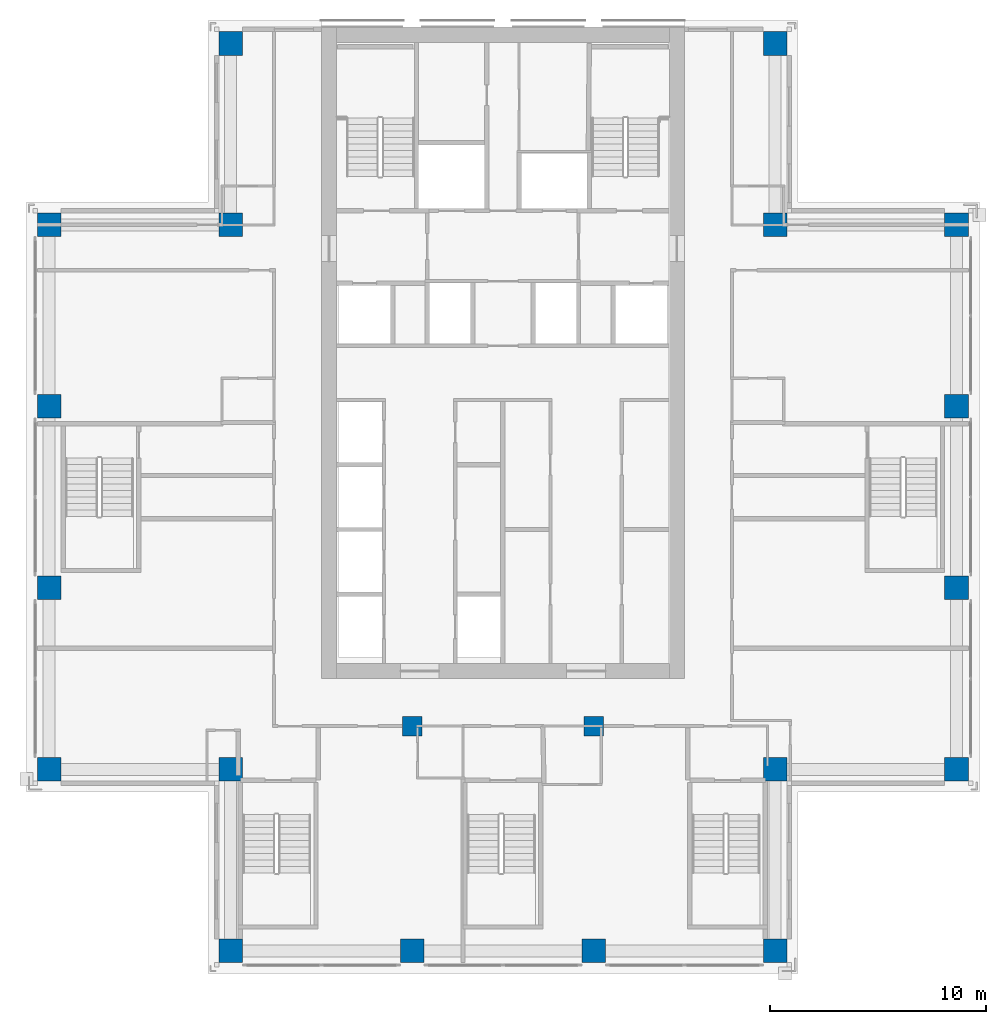
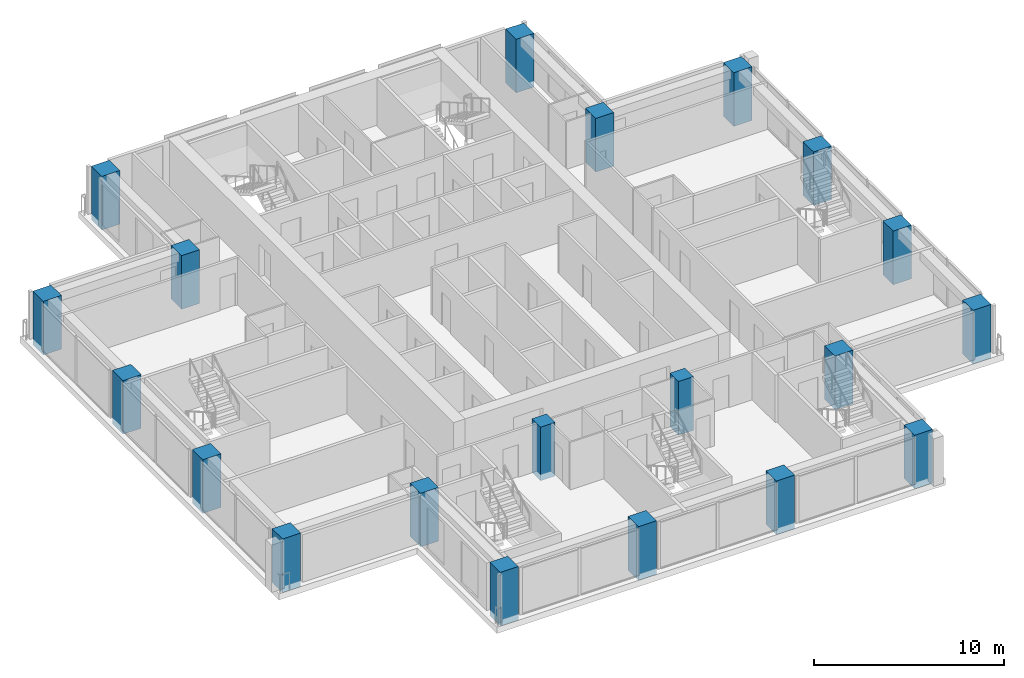
# One storey, part 1 of 16: 20 columns.
"""IFC4 building model written with IfcOpenShell, lengths in metres."""

from ifc_helpers import new_model, si_unit, direction, frame, origin, origin_2d, place, context, subcontext, project, spatial, rectangle, extrude, material, material_profile, profile_set, type_object, element, save


model = new_model("IFC4")

# Units and contexts
model_context = context("Model", 3, precision=1e-05, world=origin(), true_north=direction((0.0, 1.0)))
body_context = subcontext(model_context, "Body", "Model", "MODEL_VIEW")
ifc_project = project(units=[si_unit("LENGTHUNIT", "METRE"), si_unit("AREAUNIT", "SQUARE_METRE"), si_unit("VOLUMEUNIT", "CUBIC_METRE"), si_unit("PLANEANGLEUNIT", "RADIAN"), si_unit("MASSUNIT", "GRAM", prefix="KILO")], contexts=[model_context])

# Site, building, storey
site_placement = place(None, origin())
site = spatial("IfcSite", under=ifc_project, at=site_placement, CompositionType="ELEMENT")
building_placement = place(site_placement, origin())
building = spatial("IfcBuilding", under=site, at=building_placement, Name="Vermilion Ogive Tower", CompositionType="ELEMENT")
storey_placement = place(building_placement, frame((0.0, 0.0, 140.0)))
storey = spatial("IfcBuildingStorey", under=building, at=storey_placement, Name="L35", CompositionType="ELEMENT", Elevation=140.0)

# Columns
ifc_material_1 = material(Name="Concrete B60", Category="concrete")
ifc_material_profile_1 = material_profile(ifc_material_1, rectangle(XDim=1.10009765625, YDim=1.10009765625, at=origin_2d()), Name="1100 x 1100")
ifc_profile_set_1 = profile_set([ifc_material_profile_1], Name="Concrete B60")
column_type_1 = type_object("IfcColumnType", Name="Perimeter column 1100 x 1100 B60", PredefinedType="COLUMN", material=ifc_profile_set_1)
for number, where, z_axis, x_axis, name in (
    (1, (-12.60009765625, -21.0, -0.39990234375), (0.0, 0.0, 1.0), (1.0, 0.0, 0.0), "COL-L35-P-0126-210"),
    (2, (-4.199951171875, -21.0, -0.39990234375), (0.0, 0.0, 1.0), (1.0, 0.0, 0.0), "COL-L35-P-0042-210"),
    (3, (4.199951171875, -21.0, -0.39990234375), (0.0, 0.0, 1.0), (1.0, 0.0, 0.0), "COL-L35-P+0042-210"),
    (4, (12.60009765625, -21.0, -0.39990234375), (0.0, 0.0, 1.0), (1.0, 0.0, 0.0), "COL-L35-P+0126-210"),
    (5, (-21.0, -12.60009765625, -0.39990234375), (0.0, 0.0, 1.0), (1.0, 0.0, 0.0), "COL-L35-P-0210-126"),
    (6, (-12.60009765625, -12.60009765625, -0.39990234375), (0.0, 0.0, 1.0), (1.0, 0.0, 0.0), "COL-L35-P-0126-126"),
    (7, (12.60009765625, -12.60009765625, -0.39990234375), (0.0, 0.0, 1.0), (1.0, 0.0, 0.0), "COL-L35-P+0126-126"),
    (8, (21.0, -12.60009765625, -0.39990234375), (0.0, 0.0, 1.0), (1.0, 0.0, 0.0), "COL-L35-P+0210-126"),
    (9, (-21.0, -4.199951171875, -0.39990234375), (0.0, 0.0, 1.0), (1.0, 0.0, 0.0), "COL-L35-P-0210-042"),
    (10, (21.0, -4.199951171875, -0.39990234375), (0.0, 0.0, 1.0), (1.0, 0.0, 0.0), "COL-L35-P+0210-042"),
    (11, (-21.0, 4.199951171875, -0.39990234375), (0.0, 0.0, 1.0), (1.0, 0.0, 0.0), "COL-L35-P-0210+042"),
    (12, (21.0, 4.199951171875, -0.39990234375), (0.0, 0.0, 1.0), (1.0, 0.0, 0.0), "COL-L35-P+0210+042"),
    (13, (-21.0, 12.60009765625, -0.39990234375), (0.0, 0.0, 1.0), (1.0, 0.0, 0.0), "COL-L35-P-0210+126"),
    (14, (-12.60009765625, 12.60009765625, -0.39990234375), (0.0, 0.0, 1.0), (1.0, 0.0, 0.0), "COL-L35-P-0126+126"),
    (15, (12.60009765625, 12.60009765625, -0.39990234375), (0.0, 0.0, 1.0), (1.0, 0.0, 0.0), "COL-L35-P+0126+126"),
    (16, (21.0, 12.60009765625, -0.39990234375), (0.0, 0.0, 1.0), (1.0, 0.0, 0.0), "COL-L35-P+0210+126"),
    (17, (-12.60009765625, 21.0, -0.39990234375), (0.0, 0.0, 1.0), (1.0, 0.0, 0.0), "COL-L35-P-0126+210"),
    (18, (12.60009765625, 21.0, -0.39990234375), (0.0, 0.0, 1.0), (1.0, 0.0, 0.0), "COL-L35-P+0126+210"),
):
    element("IfcColumn", number, at=place(storey_placement, frame(where, z_axis=z_axis, x_axis=x_axis)), inside=storey, type_object=column_type_1, Name=name, PredefinedType="COLUMN", context=body_context, shape_type="SweptSolid", body=[
        extrude(rectangle(XDim=1.10009765625, YDim=1.10009765625, at=origin_2d()), origin(), (0.0, 0.0, 1.0), 3.449951171875),
    ])
ifc_material_2 = material(Name="Concrete B60", Category="concrete")
ifc_material_profile_2 = material_profile(ifc_material_2, rectangle(XDim=0.89990234375, YDim=0.89990234375, at=origin_2d()), Name="900 x 900")
ifc_profile_set_2 = profile_set([ifc_material_profile_2], Name="Concrete B60")
column_type_2 = type_object("IfcColumnType", Name="Ring column 900 x 900 B60", PredefinedType="COLUMN", material=ifc_profile_set_2)
for number, where, z_axis, x_axis, name in (
    (19, (-4.199951171875, -10.60009765625, -0.39990234375), (0.0, 0.0, 1.0), (1.0, 0.0, 0.0), "COL-L35-R-0042-106"),
    (20, (4.199951171875, -10.60009765625, -0.39990234375), (0.0, 0.0, 1.0), (1.0, 0.0, 0.0), "COL-L35-R+0042-106"),
):
    element("IfcColumn", number, at=place(storey_placement, frame(where, z_axis=z_axis, x_axis=x_axis)), inside=storey, type_object=column_type_2, Name=name, PredefinedType="COLUMN", context=body_context, shape_type="SweptSolid", body=[
        extrude(rectangle(XDim=0.89990234375, YDim=0.89990234375, at=origin_2d()), origin(), (0.0, 0.0, 1.0), 3.449951171875),
    ])

save(model, "model.ifc")
